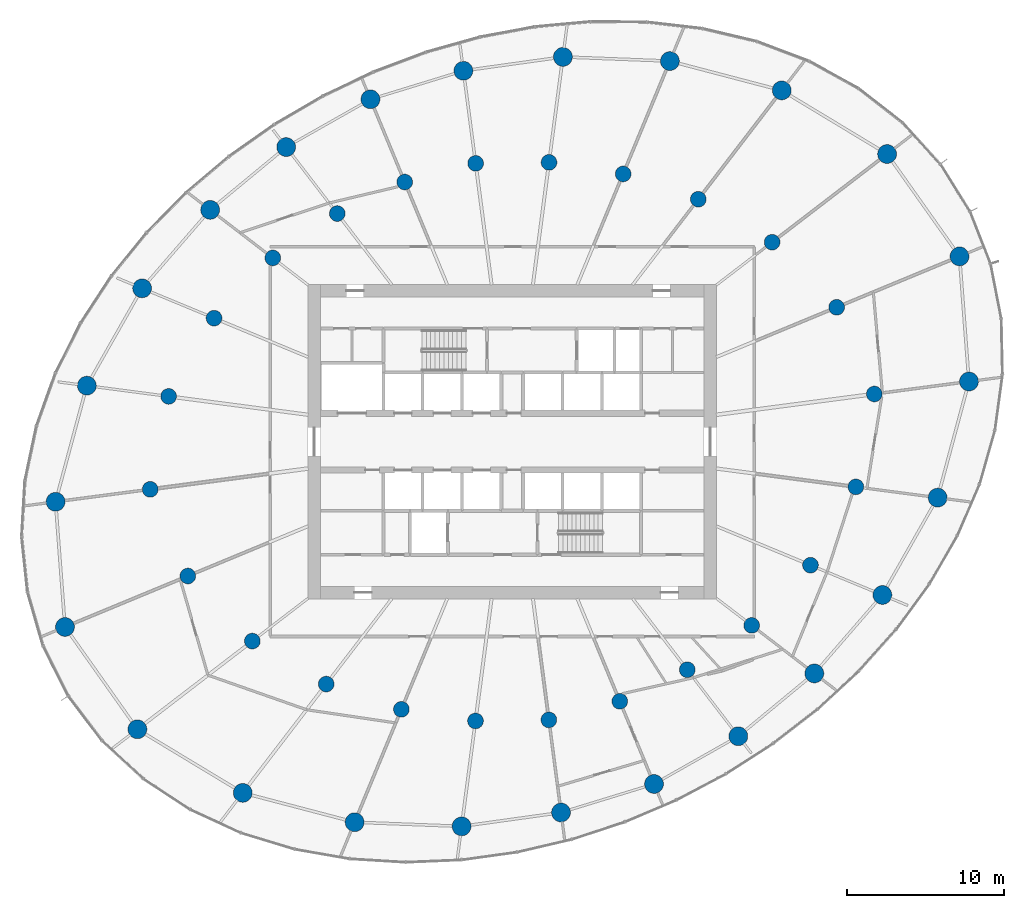
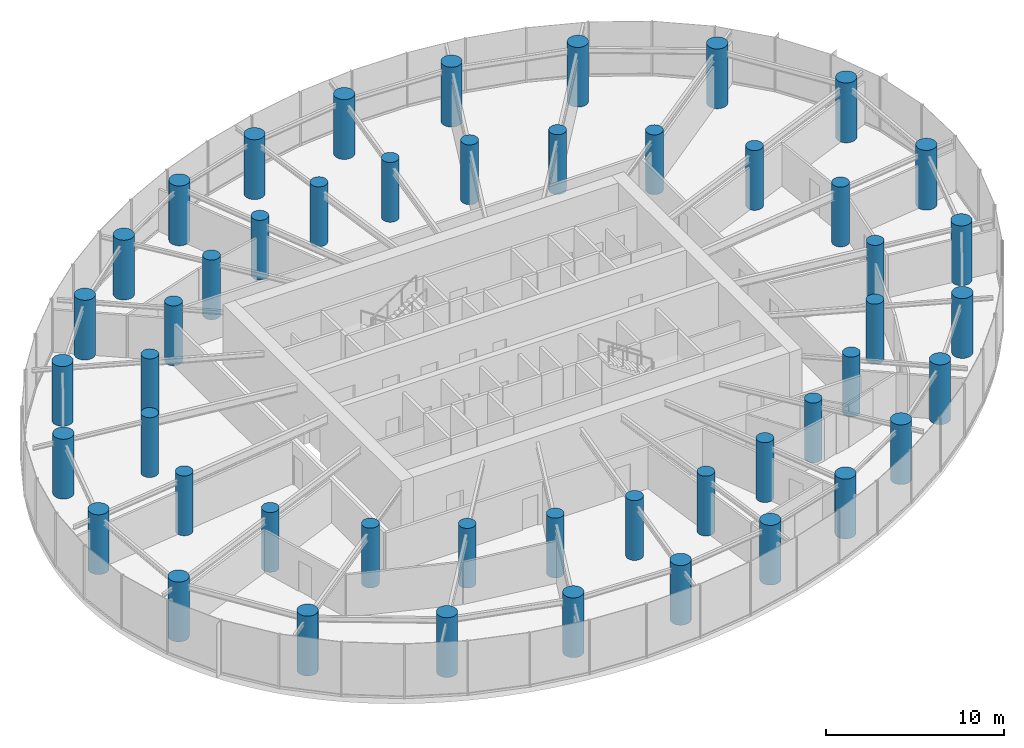
# One storey, part 1 of 17: 48 columns.
"""IFC4 building model written with IfcOpenShell, lengths in metres."""

from ifc_helpers import new_model, si_unit, direction, frame, origin, origin_2d, place, context, subcontext, project, spatial, circle, extrude, source, transform, mapped, material, material_profile, profile_set, type_object, element, save


model = new_model("IFC4")

# Units and contexts
model_context = context("Model", 3, precision=1e-05, world=origin(), true_north=direction((0.0, 1.0)))
body_context = subcontext(model_context, "Body", "Model", "MODEL_VIEW")
ifc_project = project(units=[si_unit("LENGTHUNIT", "METRE"), si_unit("AREAUNIT", "SQUARE_METRE"), si_unit("VOLUMEUNIT", "CUBIC_METRE"), si_unit("PLANEANGLEUNIT", "RADIAN"), si_unit("MASSUNIT", "GRAM", prefix="KILO")], contexts=[model_context])

# Site, building, storey
site_placement = place(None, origin())
site = spatial("IfcSite", under=ifc_project, at=site_placement, CompositionType="ELEMENT")
building_placement = place(site_placement, origin())
building = spatial("IfcBuilding", under=site, at=building_placement, Name="Spindrift Exchange Tower", CompositionType="ELEMENT")
storey_placement = place(building_placement, frame((0.0, 0.0, 108.5)))
storey = spatial("IfcBuildingStorey", under=building, at=storey_placement, Name="L25", CompositionType="ELEMENT", Elevation=108.5)

# Columns
ifc_material = material(Name="Concrete 65 MPa", Category="concrete")
ifc_material_profile_1 = material_profile(ifc_material, circle(Radius=0.60009765625, at=origin_2d()), Name="RC D1200")
ifc_profile_set_1 = profile_set([ifc_material_profile_1], Name="Concrete 65 MPa")
column_type_1 = type_object("IfcColumnType", Name="RC Perimeter Column D1200 Concrete 65 MPa", PredefinedType="COLUMN", material=ifc_profile_set_1)
shared_shape_1 = source(origin(), body_context, "Body", "SweptSolid", [
    extrude(circle(Radius=0.60009765625, at=origin_2d()), origin(), (0.0, 0.0, 1.0), 4.10009765625),
])
for number, where, z_axis, x_axis, name in (
    (1, (81.056396484375, 51.8251953125, 0.0), (0.0, 0.0, 1.0), (1.0, 0.0, 0.0), "Perimeter column P2-01 L25"),
    (2, (80.45556640625, 59.78662109375, 0.0), (0.0, 0.0, 1.0), (1.0, 0.0, 0.0), "Perimeter column P2-02 L25"),
    (3, (75.84814453125, 66.29931640625, 0.0), (0.0, 0.0, 1.0), (1.0, 0.0, 0.0), "Perimeter column P2-03 L25"),
    (4, (69.145751953125, 70.3447265625, 0.0), (0.0, 0.0, 1.0), (1.0, 0.0, 0.0), "Perimeter column P2-04 L25"),
    (5, (62.029052734375, 72.212158203125, 0.0), (0.0, 0.0, 1.0), (1.0, 0.0, 0.0), "Perimeter column P2-05 L25"),
    (6, (55.222412109375, 72.476806640625, 0.0), (0.0, 0.0, 1.0), (1.0, 0.0, 0.0), "Perimeter column P2-06 L25"),
    (7, (48.8935546875, 71.595458984375, 0.0), (0.0, 0.0, 1.0), (1.0, 0.0, 0.0), "Perimeter column P2-07 L25"),
    (8, (42.978271484375, 69.780517578125, 0.0), (0.0, 0.0, 1.0), (1.0, 0.0, 0.0), "Perimeter column P2-08 L25"),
    (9, (37.617919921875, 66.742919921875, 0.0), (0.0, 0.0, 1.0), (1.0, 0.0, 0.0), "Perimeter column P2-09 L25"),
    (10, (32.7802734375, 62.747802734375, 0.0), (0.0, 0.0, 1.0), (1.0, 0.0, 0.0), "Perimeter column P2-10 L25"),
    (11, (28.4521484375, 57.75390625, 0.0), (0.0, 0.0, 1.0), (1.0, 0.0, 0.0), "Perimeter column P2-11 L25"),
    (12, (24.935546875, 51.56298828125, 0.0), (0.0, 0.0, 1.0), (1.0, 0.0, 0.0), "Perimeter column P2-12 L25"),
    (13, (22.943603515625, 44.1748046875, 0.0), (0.0, 0.0, 1.0), (1.0, 0.0, 0.0), "Perimeter column P2-13 L25"),
    (14, (23.54443359375, 36.21337890625, 0.0), (0.0, 0.0, 1.0), (1.0, 0.0, 0.0), "Perimeter column P2-14 L25"),
    (15, (28.15185546875, 29.70068359375, 0.0), (0.0, 0.0, 1.0), (1.0, 0.0, 0.0), "Perimeter column P2-15 L25"),
    (16, (34.854248046875, 25.6552734375, 0.0), (0.0, 0.0, 1.0), (1.0, 0.0, 0.0), "Perimeter column P2-16 L25"),
    (17, (41.970947265625, 23.787841796875, 0.0), (0.0, 0.0, 1.0), (1.0, 0.0, 0.0), "Perimeter column P2-17 L25"),
    (18, (48.777587890625, 23.523193359375, 0.0), (0.0, 0.0, 1.0), (1.0, 0.0, 0.0), "Perimeter column P2-18 L25"),
    (19, (55.1064453125, 24.404541015625, 0.0), (0.0, 0.0, 1.0), (1.0, 0.0, 0.0), "Perimeter column P2-19 L25"),
    (20, (61.021728515625, 26.219482421875, 0.0), (0.0, 0.0, 1.0), (1.0, 0.0, 0.0), "Perimeter column P2-20 L25"),
    (21, (66.382080078125, 29.257080078125, 0.0), (0.0, 0.0, 1.0), (1.0, 0.0, 0.0), "Perimeter column P2-21 L25"),
    (22, (71.2197265625, 33.252197265625, 0.0), (0.0, 0.0, 1.0), (1.0, 0.0, 0.0), "Perimeter column P2-22 L25"),
    (23, (75.5478515625, 38.24609375, 0.0), (0.0, 0.0, 1.0), (1.0, 0.0, 0.0), "Perimeter column P2-23 L25"),
    (24, (79.064453125, 44.43701171875, 0.0), (0.0, 0.0, 1.0), (1.0, 0.0, 0.0), "Perimeter column P2-24 L25"),
):
    element("IfcColumn", number, at=place(storey_placement, frame(where, z_axis=z_axis, x_axis=x_axis)), inside=storey, type_object=column_type_1, Name=name, PredefinedType="COLUMN", context=body_context, shape_type="MappedRepresentation", body=[
        mapped(shared_shape_1, transform((0.0, 0.0, 0.0), scale=1.0)),
    ])
ifc_material_profile_2 = material_profile(ifc_material, circle(Radius=0.5, at=origin_2d()), Name="RC D1000")
ifc_profile_set_2 = profile_set([ifc_material_profile_2], Name="Concrete 65 MPa")
column_type_2 = type_object("IfcColumnType", Name="RC Inner Column D1000 Concrete 65 MPa", PredefinedType="COLUMN", material=ifc_profile_set_2)
shared_shape_2 = source(origin(), body_context, "Body", "SweptSolid", [
    extrude(circle(Radius=0.5, at=origin_2d()), origin(), (0.0, 0.0, 1.0), 4.10009765625),
])
for number, where, z_axis, x_axis, name in (
    (25, (75.033935546875, 51.032470703125, 0.0), (0.0, 0.0, 1.0), (1.0, 0.0, 0.0), "Inner column Q2-01 L25"),
    (26, (72.639404296875, 56.549072265625, 0.0), (0.0, 0.0, 1.0), (1.0, 0.0, 0.0), "Inner column Q2-02 L25"),
    (27, (68.534912109375, 60.6875, 0.0), (0.0, 0.0, 1.0), (1.0, 0.0, 0.0), "Inner column Q2-03 L25"),
    (28, (63.835205078125, 63.423828125, 0.0), (0.0, 0.0, 1.0), (1.0, 0.0, 0.0), "Inner column Q2-04 L25"),
    (29, (59.0546875, 65.03125, 0.0), (0.0, 0.0, 1.0), (1.0, 0.0, 0.0), "Inner column Q2-05 L25"),
    (30, (54.339111328125, 65.767333984375, 0.0), (0.0, 0.0, 1.0), (1.0, 0.0, 0.0), "Inner column Q2-06 L25"),
    (31, (49.669189453125, 65.703125, 0.0), (0.0, 0.0, 1.0), (1.0, 0.0, 0.0), "Inner column Q2-07 L25"),
    (32, (45.158203125, 64.517578125, 0.0), (0.0, 0.0, 1.0), (1.0, 0.0, 0.0), "Inner column Q2-08 L25"),
    (33, (40.8662109375, 62.510009765625, 0.0), (0.0, 0.0, 1.0), (1.0, 0.0, 0.0), "Inner column Q2-09 L25"),
    (34, (36.767578125, 59.688232421875, 0.0), (0.0, 0.0, 1.0), (1.0, 0.0, 0.0), "Inner column Q2-10 L25"),
    (35, (33.027587890625, 55.858642578125, 0.0), (0.0, 0.0, 1.0), (1.0, 0.0, 0.0), "Inner column Q2-11 L25"),
    (36, (30.13671875, 50.87841796875, 0.0), (0.0, 0.0, 1.0), (1.0, 0.0, 0.0), "Inner column Q2-12 L25"),
    (37, (28.966064453125, 44.967529296875, 0.0), (0.0, 0.0, 1.0), (1.0, 0.0, 0.0), "Inner column Q2-13 L25"),
    (38, (31.360595703125, 39.450927734375, 0.0), (0.0, 0.0, 1.0), (1.0, 0.0, 0.0), "Inner column Q2-14 L25"),
    (39, (35.465087890625, 35.3125, 0.0), (0.0, 0.0, 1.0), (1.0, 0.0, 0.0), "Inner column Q2-15 L25"),
    (40, (40.164794921875, 32.576171875, 0.0), (0.0, 0.0, 1.0), (1.0, 0.0, 0.0), "Inner column Q2-16 L25"),
    (41, (44.9453125, 30.96875, 0.0), (0.0, 0.0, 1.0), (1.0, 0.0, 0.0), "Inner column Q2-17 L25"),
    (42, (49.660888671875, 30.232666015625, 0.0), (0.0, 0.0, 1.0), (1.0, 0.0, 0.0), "Inner column Q2-18 L25"),
    (43, (54.330810546875, 30.296875, 0.0), (0.0, 0.0, 1.0), (1.0, 0.0, 0.0), "Inner column Q2-19 L25"),
    (44, (58.841796875, 31.482421875, 0.0), (0.0, 0.0, 1.0), (1.0, 0.0, 0.0), "Inner column Q2-20 L25"),
    (45, (63.1337890625, 33.489990234375, 0.0), (0.0, 0.0, 1.0), (1.0, 0.0, 0.0), "Inner column Q2-21 L25"),
    (46, (67.232421875, 36.311767578125, 0.0), (0.0, 0.0, 1.0), (1.0, 0.0, 0.0), "Inner column Q2-22 L25"),
    (47, (70.972412109375, 40.141357421875, 0.0), (0.0, 0.0, 1.0), (1.0, 0.0, 0.0), "Inner column Q2-23 L25"),
    (48, (73.86328125, 45.12158203125, 0.0), (0.0, 0.0, 1.0), (1.0, 0.0, 0.0), "Inner column Q2-24 L25"),
):
    element("IfcColumn", number, at=place(storey_placement, frame(where, z_axis=z_axis, x_axis=x_axis)), inside=storey, type_object=column_type_2, Name=name, PredefinedType="COLUMN", context=body_context, shape_type="MappedRepresentation", body=[
        mapped(shared_shape_2, transform((0.0, 0.0, 0.0), scale=1.0)),
    ])

save(model, "model.ifc")
